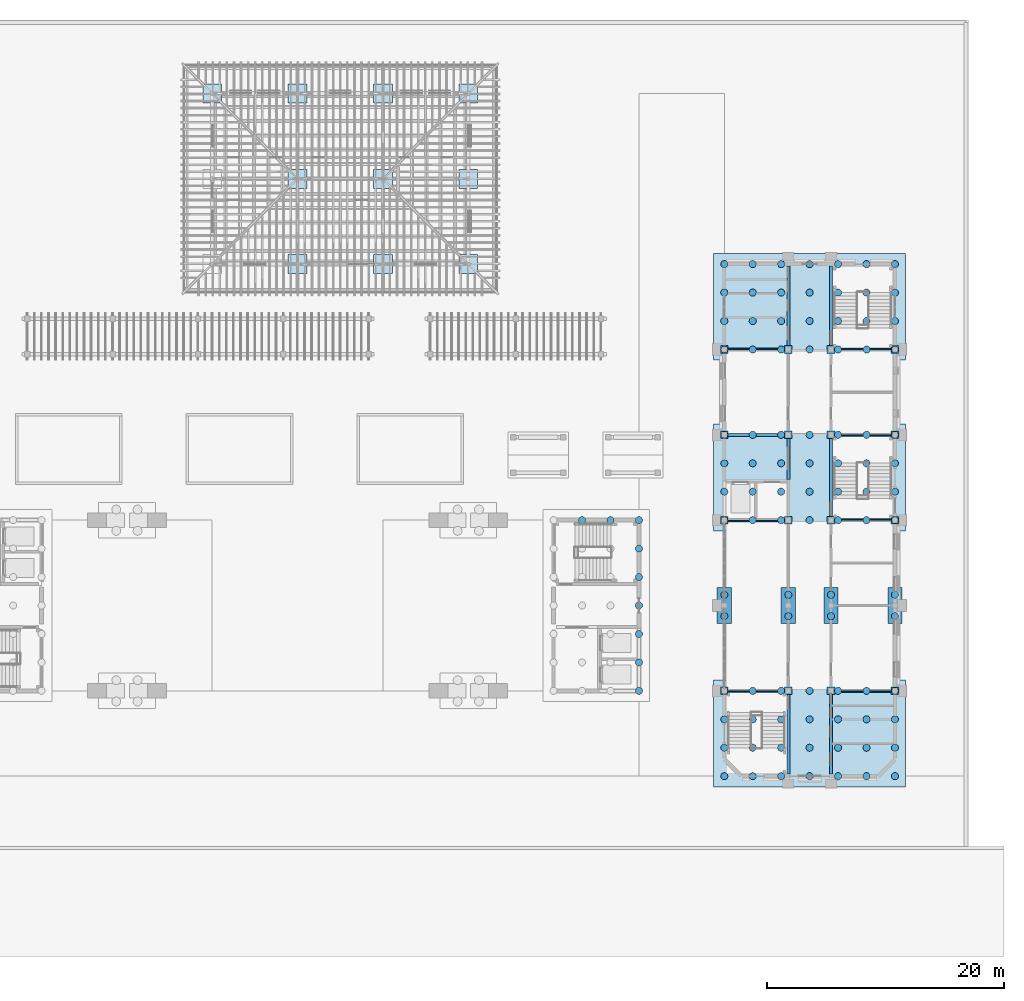
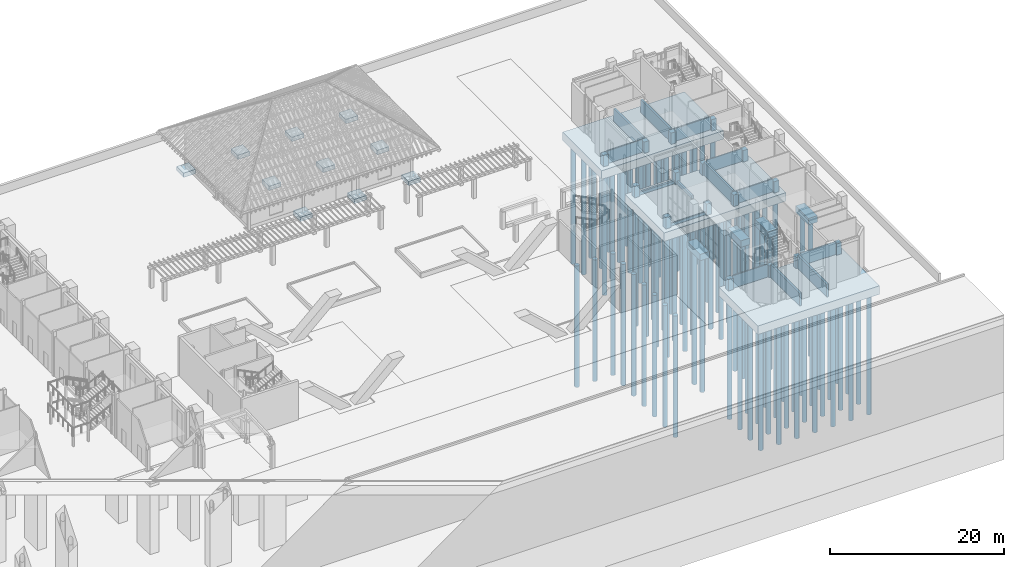
# One storey, part 3 of 84: 101 piles, 47 footings.
"""IFC4 building model written with IfcOpenShell, lengths in metres."""

from ifc_helpers import new_model, si_unit, direction, frame, origin, origin_2d, place, context, subcontext, project, spatial, polyline, rectangle, circle, outline, extrude, material, material_profile, profile_set, type_object, element, save


model = new_model("IFC4")

# Units and contexts
model_context = context("Model", 3, precision=1e-05, world=origin(), true_north=direction((0.0, 1.0)))
body_context = subcontext(model_context, "Body", "Model", "MODEL_VIEW")
ifc_project = project(units=[si_unit("LENGTHUNIT", "METRE"), si_unit("AREAUNIT", "SQUARE_METRE"), si_unit("VOLUMEUNIT", "CUBIC_METRE"), si_unit("PLANEANGLEUNIT", "RADIAN"), si_unit("MASSUNIT", "GRAM", prefix="KILO")], contexts=[model_context])

# Site, building, storey
site_placement = place(None, origin())
site = spatial("IfcSite", under=ifc_project, at=site_placement, CompositionType="ELEMENT")
building_placement = place(site_placement, origin())
building = spatial("IfcBuilding", under=site, at=building_placement, Name="Mazhai Court Health Centre", CompositionType="ELEMENT")
storey_placement = place(building_placement, origin())
storey = spatial("IfcBuildingStorey", under=building, at=storey_placement, Name="L00", CompositionType="ELEMENT", Elevation=0.0)

# Piles
ifc_material_1 = material(Name="Concrete M35", Category="concrete")
ifc_material_profile = material_profile(ifc_material_1, circle(Radius=0.300048828125, at=origin_2d()), Name="RC PILE D600")
ifc_profile_set = profile_set([ifc_material_profile], Name="Concrete M35")
pile_type = type_object("IfcPileType", Name="BORED PILE D600 M35", PredefinedType="BORED", material=ifc_profile_set)
for number, where, z_axis, x_axis, name in (
    (1, (123.800048828125, 27.800048828125, -2.89990234375), (0.0, 0.0, -1.0), (1.0, 0.0, 0.0), "pile-RAFT-5-14"),
    (2, (126.199951171875, 27.800048828125, -2.89990234375), (0.0, 0.0, -1.0), (1.0, 0.0, 0.0), "pile-RAFT-5-21"),
    (3, (128.60009765625, 13.39990234375, -2.89990234375), (0.0, 0.0, -1.0), (1.0, 0.0, 0.0), "pile-RAFT-5-22"),
    (4, (128.60009765625, 15.800048828125, -2.89990234375), (0.0, 0.0, -1.0), (1.0, 0.0, 0.0), "pile-RAFT-5-23"),
    (5, (128.60009765625, 18.199951171875, -2.89990234375), (0.0, 0.0, -1.0), (1.0, 0.0, 0.0), "pile-RAFT-5-24"),
    (6, (128.60009765625, 20.60009765625, -2.89990234375), (0.0, 0.0, -1.0), (1.0, 0.0, 0.0), "pile-RAFT-5-25"),
    (7, (128.60009765625, 23.0, -2.89990234375), (0.0, 0.0, -1.0), (1.0, 0.0, 0.0), "pile-RAFT-5-26"),
    (8, (128.60009765625, 25.39990234375, -2.89990234375), (0.0, 0.0, -1.0), (1.0, 0.0, 0.0), "pile-RAFT-5-27"),
    (9, (128.60009765625, 27.800048828125, -2.89990234375), (0.0, 0.0, -1.0), (1.0, 0.0, 0.0), "pile-RAFT-5-28"),
    (10, (135.800048828125, 6.199951171875, -2.89990234375), (0.0, 0.0, -1.0), (1.0, 0.0, 0.0), "pile-RAFT-6-01"),
    (11, (135.800048828125, 8.60009765625, -2.89990234375), (0.0, 0.0, -1.0), (1.0, 0.0, 0.0), "pile-RAFT-6-02"),
    (12, (135.800048828125, 11.0, -2.89990234375), (0.0, 0.0, -1.0), (1.0, 0.0, 0.0), "pile-RAFT-6-03"),
    (13, (135.800048828125, 13.39990234375, -2.89990234375), (0.0, 0.0, -1.0), (1.0, 0.0, 0.0), "pile-RAFT-6-04"),
    (14, (138.199951171875, 6.199951171875, -2.89990234375), (0.0, 0.0, -1.0), (1.0, 0.0, 0.0), "pile-RAFT-6-05"),
    (15, (138.199951171875, 8.60009765625, -2.89990234375), (0.0, 0.0, -1.0), (1.0, 0.0, 0.0), "pile-RAFT-6-06"),
    (16, (138.199951171875, 11.0, -2.89990234375), (0.0, 0.0, -1.0), (1.0, 0.0, 0.0), "pile-RAFT-6-07"),
    (17, (138.199951171875, 13.39990234375, -2.89990234375), (0.0, 0.0, -1.0), (1.0, 0.0, 0.0), "pile-RAFT-6-08"),
    (18, (140.60009765625, 6.199951171875, -2.89990234375), (0.0, 0.0, -1.0), (1.0, 0.0, 0.0), "pile-RAFT-6-09"),
    (19, (140.60009765625, 8.60009765625, -2.89990234375), (0.0, 0.0, -1.0), (1.0, 0.0, 0.0), "pile-RAFT-6-10"),
    (20, (140.60009765625, 11.0, -2.89990234375), (0.0, 0.0, -1.0), (1.0, 0.0, 0.0), "pile-RAFT-6-11"),
    (21, (140.60009765625, 13.39990234375, -2.89990234375), (0.0, 0.0, -1.0), (1.0, 0.0, 0.0), "pile-RAFT-6-12"),
    (22, (143.0, 6.199951171875, -2.89990234375), (0.0, 0.0, -1.0), (1.0, 0.0, 0.0), "pile-RAFT-6-13"),
    (23, (143.0, 8.60009765625, -2.89990234375), (0.0, 0.0, -1.0), (1.0, 0.0, 0.0), "pile-RAFT-6-14"),
    (24, (143.0, 11.0, -2.89990234375), (0.0, 0.0, -1.0), (1.0, 0.0, 0.0), "pile-RAFT-6-15"),
    (25, (143.0, 13.39990234375, -2.89990234375), (0.0, 0.0, -1.0), (1.0, 0.0, 0.0), "pile-RAFT-6-16"),
    (26, (145.39990234375, 6.199951171875, -2.89990234375), (0.0, 0.0, -1.0), (1.0, 0.0, 0.0), "pile-RAFT-6-17"),
    (27, (145.39990234375, 8.60009765625, -2.89990234375), (0.0, 0.0, -1.0), (1.0, 0.0, 0.0), "pile-RAFT-6-18"),
    (28, (145.39990234375, 11.0, -2.89990234375), (0.0, 0.0, -1.0), (1.0, 0.0, 0.0), "pile-RAFT-6-19"),
    (29, (145.39990234375, 13.39990234375, -2.89990234375), (0.0, 0.0, -1.0), (1.0, 0.0, 0.0), "pile-RAFT-6-20"),
    (30, (147.800048828125, 6.199951171875, -2.89990234375), (0.0, 0.0, -1.0), (1.0, 0.0, 0.0), "pile-RAFT-6-21"),
    (31, (147.800048828125, 8.60009765625, -2.89990234375), (0.0, 0.0, -1.0), (1.0, 0.0, 0.0), "pile-RAFT-6-22"),
    (32, (147.800048828125, 11.0, -2.89990234375), (0.0, 0.0, -1.0), (1.0, 0.0, 0.0), "pile-RAFT-6-23"),
    (33, (147.800048828125, 13.39990234375, -2.89990234375), (0.0, 0.0, -1.0), (1.0, 0.0, 0.0), "pile-RAFT-6-24"),
    (34, (150.199951171875, 6.199951171875, -2.89990234375), (0.0, 0.0, -1.0), (1.0, 0.0, 0.0), "pile-RAFT-6-25"),
    (35, (150.199951171875, 8.60009765625, -2.89990234375), (0.0, 0.0, -1.0), (1.0, 0.0, 0.0), "pile-RAFT-6-26"),
    (36, (150.199951171875, 11.0, -2.89990234375), (0.0, 0.0, -1.0), (1.0, 0.0, 0.0), "pile-RAFT-6-27"),
    (37, (150.199951171875, 13.39990234375, -2.89990234375), (0.0, 0.0, -1.0), (1.0, 0.0, 0.0), "pile-RAFT-6-28"),
    (38, (135.800048828125, 27.800048828125, -2.89990234375), (0.0, 0.0, -1.0), (1.0, 0.0, 0.0), "pile-RAFT-7-01"),
    (39, (135.800048828125, 30.199951171875, -2.89990234375), (0.0, 0.0, -1.0), (1.0, 0.0, 0.0), "pile-RAFT-7-02"),
    (40, (135.800048828125, 32.60009765625, -2.89990234375), (0.0, 0.0, -1.0), (1.0, 0.0, 0.0), "pile-RAFT-7-03"),
    (41, (135.800048828125, 35.0, -2.89990234375), (0.0, 0.0, -1.0), (1.0, 0.0, 0.0), "pile-RAFT-7-04"),
    (42, (138.199951171875, 27.800048828125, -2.89990234375), (0.0, 0.0, -1.0), (1.0, 0.0, 0.0), "pile-RAFT-7-05"),
    (43, (138.199951171875, 30.199951171875, -2.89990234375), (0.0, 0.0, -1.0), (1.0, 0.0, 0.0), "pile-RAFT-7-06"),
    (44, (138.199951171875, 32.60009765625, -2.89990234375), (0.0, 0.0, -1.0), (1.0, 0.0, 0.0), "pile-RAFT-7-07"),
    (45, (138.199951171875, 35.0, -2.89990234375), (0.0, 0.0, -1.0), (1.0, 0.0, 0.0), "pile-RAFT-7-08"),
    (46, (140.60009765625, 27.800048828125, -2.89990234375), (0.0, 0.0, -1.0), (1.0, 0.0, 0.0), "pile-RAFT-7-09"),
    (47, (140.60009765625, 30.199951171875, -2.89990234375), (0.0, 0.0, -1.0), (1.0, 0.0, 0.0), "pile-RAFT-7-10"),
    (48, (140.60009765625, 32.60009765625, -2.89990234375), (0.0, 0.0, -1.0), (1.0, 0.0, 0.0), "pile-RAFT-7-11"),
    (49, (140.60009765625, 35.0, -2.89990234375), (0.0, 0.0, -1.0), (1.0, 0.0, 0.0), "pile-RAFT-7-12"),
    (50, (143.0, 27.800048828125, -2.89990234375), (0.0, 0.0, -1.0), (1.0, 0.0, 0.0), "pile-RAFT-7-13"),
    (51, (143.0, 30.199951171875, -2.89990234375), (0.0, 0.0, -1.0), (1.0, 0.0, 0.0), "pile-RAFT-7-14"),
    (52, (143.0, 32.60009765625, -2.89990234375), (0.0, 0.0, -1.0), (1.0, 0.0, 0.0), "pile-RAFT-7-15"),
    (53, (143.0, 35.0, -2.89990234375), (0.0, 0.0, -1.0), (1.0, 0.0, 0.0), "pile-RAFT-7-16"),
    (54, (145.39990234375, 27.800048828125, -2.89990234375), (0.0, 0.0, -1.0), (1.0, 0.0, 0.0), "pile-RAFT-7-17"),
    (55, (145.39990234375, 30.199951171875, -2.89990234375), (0.0, 0.0, -1.0), (1.0, 0.0, 0.0), "pile-RAFT-7-18"),
    (56, (145.39990234375, 32.60009765625, -2.89990234375), (0.0, 0.0, -1.0), (1.0, 0.0, 0.0), "pile-RAFT-7-19"),
    (57, (145.39990234375, 35.0, -2.89990234375), (0.0, 0.0, -1.0), (1.0, 0.0, 0.0), "pile-RAFT-7-20"),
    (58, (147.800048828125, 27.800048828125, -2.89990234375), (0.0, 0.0, -1.0), (1.0, 0.0, 0.0), "pile-RAFT-7-21"),
    (59, (147.800048828125, 30.199951171875, -2.89990234375), (0.0, 0.0, -1.0), (1.0, 0.0, 0.0), "pile-RAFT-7-22"),
    (60, (147.800048828125, 32.60009765625, -2.89990234375), (0.0, 0.0, -1.0), (1.0, 0.0, 0.0), "pile-RAFT-7-23"),
    (61, (147.800048828125, 35.0, -2.89990234375), (0.0, 0.0, -1.0), (1.0, 0.0, 0.0), "pile-RAFT-7-24"),
    (62, (150.199951171875, 27.800048828125, -2.89990234375), (0.0, 0.0, -1.0), (1.0, 0.0, 0.0), "pile-RAFT-7-25"),
    (63, (150.199951171875, 30.199951171875, -2.89990234375), (0.0, 0.0, -1.0), (1.0, 0.0, 0.0), "pile-RAFT-7-26"),
    (64, (150.199951171875, 32.60009765625, -2.89990234375), (0.0, 0.0, -1.0), (1.0, 0.0, 0.0), "pile-RAFT-7-27"),
    (65, (150.199951171875, 35.0, -2.89990234375), (0.0, 0.0, -1.0), (1.0, 0.0, 0.0), "pile-RAFT-7-28"),
    (66, (135.800048828125, 42.199951171875, -2.89990234375), (0.0, 0.0, -1.0), (1.0, 0.0, 0.0), "pile-RAFT-8-01"),
    (67, (135.800048828125, 44.60009765625, -2.89990234375), (0.0, 0.0, -1.0), (1.0, 0.0, 0.0), "pile-RAFT-8-02"),
    (68, (135.800048828125, 47.0, -2.89990234375), (0.0, 0.0, -1.0), (1.0, 0.0, 0.0), "pile-RAFT-8-03"),
    (69, (135.800048828125, 49.39990234375, -2.89990234375), (0.0, 0.0, -1.0), (1.0, 0.0, 0.0), "pile-RAFT-8-04"),
    (70, (138.199951171875, 42.199951171875, -2.89990234375), (0.0, 0.0, -1.0), (1.0, 0.0, 0.0), "pile-RAFT-8-05"),
    (71, (138.199951171875, 44.60009765625, -2.89990234375), (0.0, 0.0, -1.0), (1.0, 0.0, 0.0), "pile-RAFT-8-06"),
    (72, (138.199951171875, 47.0, -2.89990234375), (0.0, 0.0, -1.0), (1.0, 0.0, 0.0), "pile-RAFT-8-07"),
    (73, (138.199951171875, 49.39990234375, -2.89990234375), (0.0, 0.0, -1.0), (1.0, 0.0, 0.0), "pile-RAFT-8-08"),
    (74, (140.60009765625, 42.199951171875, -2.89990234375), (0.0, 0.0, -1.0), (1.0, 0.0, 0.0), "pile-RAFT-8-09"),
    (75, (140.60009765625, 44.60009765625, -2.89990234375), (0.0, 0.0, -1.0), (1.0, 0.0, 0.0), "pile-RAFT-8-10"),
    (76, (140.60009765625, 47.0, -2.89990234375), (0.0, 0.0, -1.0), (1.0, 0.0, 0.0), "pile-RAFT-8-11"),
    (77, (140.60009765625, 49.39990234375, -2.89990234375), (0.0, 0.0, -1.0), (1.0, 0.0, 0.0), "pile-RAFT-8-12"),
    (78, (143.0, 42.199951171875, -2.89990234375), (0.0, 0.0, -1.0), (1.0, 0.0, 0.0), "pile-RAFT-8-13"),
    (79, (143.0, 44.60009765625, -2.89990234375), (0.0, 0.0, -1.0), (1.0, 0.0, 0.0), "pile-RAFT-8-14"),
    (80, (143.0, 47.0, -2.89990234375), (0.0, 0.0, -1.0), (1.0, 0.0, 0.0), "pile-RAFT-8-15"),
    (81, (143.0, 49.39990234375, -2.89990234375), (0.0, 0.0, -1.0), (1.0, 0.0, 0.0), "pile-RAFT-8-16"),
    (82, (145.39990234375, 42.199951171875, -2.89990234375), (0.0, 0.0, -1.0), (1.0, 0.0, 0.0), "pile-RAFT-8-17"),
    (83, (145.39990234375, 44.60009765625, -2.89990234375), (0.0, 0.0, -1.0), (1.0, 0.0, 0.0), "pile-RAFT-8-18"),
    (84, (145.39990234375, 47.0, -2.89990234375), (0.0, 0.0, -1.0), (1.0, 0.0, 0.0), "pile-RAFT-8-19"),
    (85, (145.39990234375, 49.39990234375, -2.89990234375), (0.0, 0.0, -1.0), (1.0, 0.0, 0.0), "pile-RAFT-8-20"),
    (86, (147.800048828125, 42.199951171875, -2.89990234375), (0.0, 0.0, -1.0), (1.0, 0.0, 0.0), "pile-RAFT-8-21"),
    (87, (147.800048828125, 44.60009765625, -2.89990234375), (0.0, 0.0, -1.0), (1.0, 0.0, 0.0), "pile-RAFT-8-22"),
    (88, (147.800048828125, 47.0, -2.89990234375), (0.0, 0.0, -1.0), (1.0, 0.0, 0.0), "pile-RAFT-8-23"),
    (89, (147.800048828125, 49.39990234375, -2.89990234375), (0.0, 0.0, -1.0), (1.0, 0.0, 0.0), "pile-RAFT-8-24"),
    (90, (150.199951171875, 42.199951171875, -2.89990234375), (0.0, 0.0, -1.0), (1.0, 0.0, 0.0), "pile-RAFT-8-25"),
    (91, (150.199951171875, 44.60009765625, -2.89990234375), (0.0, 0.0, -1.0), (1.0, 0.0, 0.0), "pile-RAFT-8-26"),
    (92, (150.199951171875, 47.0, -2.89990234375), (0.0, 0.0, -1.0), (1.0, 0.0, 0.0), "pile-RAFT-8-27"),
    (93, (150.199951171875, 49.39990234375, -2.89990234375), (0.0, 0.0, -1.0), (1.0, 0.0, 0.0), "pile-RAFT-8-28"),
):
    element("IfcPile", number, at=place(storey_placement, frame(where, z_axis=z_axis, x_axis=x_axis)), inside=storey, type_object=pile_type, Name=name, PredefinedType="BORED", context=body_context, shape_type="SweptSolid", body=[
        extrude(circle(Radius=0.300048828125, at=origin_2d()), origin(), (0.0, 0.0, 1.0), 17.10009765625),
    ])
for number, where, z_axis, x_axis, name in (
    (94, (135.800048828125, 19.699951171875, -1.0), (0.0, 0.0, -1.0), (1.0, 0.0, 0.0), "pile-cap-V6-L2-0-01"),
    (95, (135.800048828125, 21.5, -1.0), (0.0, 0.0, -1.0), (1.0, 0.0, 0.0), "pile-cap-V6-L2-0-02"),
    (96, (141.199951171875, 19.699951171875, -1.0), (0.0, 0.0, -1.0), (1.0, 0.0, 0.0), "pile-cap-V6-L2-1-01"),
    (97, (141.199951171875, 21.5, -1.0), (0.0, 0.0, -1.0), (1.0, 0.0, 0.0), "pile-cap-V6-L2-1-02"),
    (98, (144.800048828125, 19.699951171875, -1.0), (0.0, 0.0, -1.0), (1.0, 0.0, 0.0), "pile-cap-V6-L2-2-01"),
    (99, (144.800048828125, 21.5, -1.0), (0.0, 0.0, -1.0), (1.0, 0.0, 0.0), "pile-cap-V6-L2-2-02"),
    (100, (150.199951171875, 19.699951171875, -1.0), (0.0, 0.0, -1.0), (1.0, 0.0, 0.0), "pile-cap-V6-L2-3-01"),
    (101, (150.199951171875, 21.5, -1.0), (0.0, 0.0, -1.0), (1.0, 0.0, 0.0), "pile-cap-V6-L2-3-02"),
):
    element("IfcPile", number, at=place(storey_placement, frame(where, z_axis=z_axis, x_axis=x_axis)), inside=storey, type_object=pile_type, Name=name, PredefinedType="BORED", context=body_context, shape_type="SweptSolid", body=[
        extrude(circle(Radius=0.300048828125, at=origin_2d()), origin(), (0.0, 0.0, 1.0), 19.0),
    ])

# Footings
ifc_material_2 = material(Name="Concrete M35", Category="concrete")
footing_type_1 = type_object("IfcFootingType", Name="CORE RAFT 16200x9000x1200 M35", PredefinedType="PILE_CAP", material=ifc_material_2)
for number, where, z_axis, x_axis, name in (
    (102, (143.0, 9.800048828125, -3.0), (0.0, 0.0, 1.0), (1.0, 0.0, 0.0), "RAFT-6"),
    (103, (143.0, 31.39990234375, -3.0), (0.0, 0.0, 1.0), (1.0, 0.0, 0.0), "RAFT-7"),
    (104, (143.0, 45.800048828125, -3.0), (0.0, 0.0, 1.0), (1.0, 0.0, 0.0), "RAFT-8"),
):
    element("IfcFooting", number, at=place(storey_placement, frame(where, z_axis=z_axis, x_axis=x_axis)), inside=storey, type_object=footing_type_1, Name=name, PredefinedType="PILE_CAP", context=body_context, shape_type="SweptSolid", body=[
        extrude(rectangle(XDim=16.199951171875, YDim=9.0, at=origin_2d()), origin(), (0.0, 0.0, 1.0), 1.199951171875),
    ])
ifc_material_3 = material(Name="Concrete M35", Category="concrete")
footing_type_2 = type_object("IfcFootingType", Name="PAD FOOTING 1600x1600x600 M35", PredefinedType="PAD_FOOTING", material=ifc_material_3)
for number, where, z_axis, x_axis, name in (
    (105, (99.800048828125, 49.39990234375, -0.800048828125), (0.0, 0.0, 1.0), (1.0, 0.0, 0.0), "pad-V3-02"),
    (106, (107.0, 49.39990234375, -0.800048828125), (0.0, 0.0, 1.0), (1.0, 0.0, 0.0), "pad-V3-03"),
    (107, (114.199951171875, 49.39990234375, -0.800048828125), (0.0, 0.0, 1.0), (1.0, 0.0, 0.0), "pad-V3-04"),
    (108, (99.800048828125, 56.60009765625, -0.800048828125), (0.0, 0.0, 1.0), (1.0, 0.0, 0.0), "pad-V3-06"),
    (109, (107.0, 56.60009765625, -0.800048828125), (0.0, 0.0, 1.0), (1.0, 0.0, 0.0), "pad-V3-07"),
    (110, (114.199951171875, 56.60009765625, -0.800048828125), (0.0, 0.0, 1.0), (1.0, 0.0, 0.0), "pad-V3-08"),
    (111, (92.60009765625, 63.800048828125, -0.800048828125), (0.0, 0.0, 1.0), (1.0, 0.0, 0.0), "pad-V3-09"),
    (112, (99.800048828125, 63.800048828125, -0.800048828125), (0.0, 0.0, 1.0), (1.0, 0.0, 0.0), "pad-V3-10"),
    (113, (107.0, 63.800048828125, -0.800048828125), (0.0, 0.0, 1.0), (1.0, 0.0, 0.0), "pad-V3-11"),
    (114, (114.199951171875, 63.800048828125, -0.800048828125), (0.0, 0.0, 1.0), (1.0, 0.0, 0.0), "pad-V3-12"),
):
    element("IfcFooting", number, at=place(storey_placement, frame(where, z_axis=z_axis, x_axis=x_axis)), inside=storey, type_object=footing_type_2, Name=name, PredefinedType="PAD_FOOTING", context=body_context, shape_type="SweptSolid", body=[
        extrude(rectangle(XDim=1.60009765625, YDim=1.60009765625, at=origin_2d()), origin(), (0.0, 0.0, 1.0), 0.60009765625),
    ])
ifc_material_4 = material(Name="Concrete M35", Category="concrete")
footing_type_3 = type_object("IfcFootingType", Name="PILE CAP 2P 3000x1200x900 M35", PredefinedType="PILE_CAP", material=ifc_material_4)
for number, where, z_axis, x_axis, name in (
    (115, (135.800048828125, 20.60009765625, -1.099853515625), (0.0, 0.0, 1.0), (1.0, 0.0, 0.0), "cap-V6-L2-0"),
    (116, (141.199951171875, 20.60009765625, -1.099853515625), (0.0, 0.0, 1.0), (1.0, 0.0, 0.0), "cap-V6-L2-1"),
    (117, (144.800048828125, 20.60009765625, -1.099853515625), (0.0, 0.0, 1.0), (1.0, 0.0, 0.0), "cap-V6-L2-2"),
    (118, (150.199951171875, 20.60009765625, -1.099853515625), (0.0, 0.0, 1.0), (1.0, 0.0, 0.0), "cap-V6-L2-3"),
):
    element("IfcFooting", number, at=place(storey_placement, frame(where, z_axis=z_axis, x_axis=x_axis)), inside=storey, type_object=footing_type_3, Name=name, PredefinedType="PILE_CAP", context=body_context, shape_type="SweptSolid", body=[
        extrude(rectangle(XDim=1.199951171875, YDim=3.0, at=origin_2d()), origin(), (0.0, 0.0, 1.0), 0.89990234375),
    ])
ifc_material_5 = material(Name="Concrete M35", Category="concrete")
footing_type_4 = type_object("IfcFootingType", Name="RC PEDESTAL 650x650x1600 M35", PredefinedType="PAD_FOOTING", material=ifc_material_5)
for number, where, z_axis, x_axis, name in (
    (119, (135.800048828125, 13.39990234375, -1.800048828125), (0.0, 0.0, 1.0), (1.0, 0.0, 0.0), "pedestal-V6-135.8-13.4"),
    (120, (135.800048828125, 27.800048828125, -1.800048828125), (0.0, 0.0, 1.0), (1.0, 0.0, 0.0), "pedestal-V6-135.8-27.8"),
    (121, (135.800048828125, 35.0, -1.800048828125), (0.0, 0.0, 1.0), (1.0, 0.0, 0.0), "pedestal-V6-135.8-35"),
    (122, (135.800048828125, 42.199951171875, -1.800048828125), (0.0, 0.0, 1.0), (1.0, 0.0, 0.0), "pedestal-V6-135.8-42.2"),
    (123, (141.199951171875, 13.39990234375, -1.800048828125), (0.0, 0.0, 1.0), (1.0, 0.0, 0.0), "pedestal-V6-141.2-13.4"),
    (124, (141.199951171875, 27.800048828125, -1.800048828125), (0.0, 0.0, 1.0), (1.0, 0.0, 0.0), "pedestal-V6-141.2-27.8"),
    (125, (141.199951171875, 35.0, -1.800048828125), (0.0, 0.0, 1.0), (1.0, 0.0, 0.0), "pedestal-V6-141.2-35"),
    (126, (141.199951171875, 42.199951171875, -1.800048828125), (0.0, 0.0, 1.0), (1.0, 0.0, 0.0), "pedestal-V6-141.2-42.2"),
    (127, (144.800048828125, 13.39990234375, -1.800048828125), (0.0, 0.0, 1.0), (1.0, 0.0, 0.0), "pedestal-V6-144.8-13.4"),
    (128, (144.800048828125, 27.800048828125, -1.800048828125), (0.0, 0.0, 1.0), (1.0, 0.0, 0.0), "pedestal-V6-144.8-27.8"),
    (129, (144.800048828125, 35.0, -1.800048828125), (0.0, 0.0, 1.0), (1.0, 0.0, 0.0), "pedestal-V6-144.8-35"),
    (130, (144.800048828125, 42.199951171875, -1.800048828125), (0.0, 0.0, 1.0), (1.0, 0.0, 0.0), "pedestal-V6-144.8-42.2"),
    (131, (150.199951171875, 13.39990234375, -1.800048828125), (0.0, 0.0, 1.0), (1.0, 0.0, 0.0), "pedestal-V6-150.2-13.4"),
    (132, (150.199951171875, 27.800048828125, -1.800048828125), (0.0, 0.0, 1.0), (1.0, 0.0, 0.0), "pedestal-V6-150.2-27.8"),
    (133, (150.199951171875, 35.0, -1.800048828125), (0.0, 0.0, 1.0), (1.0, 0.0, 0.0), "pedestal-V6-150.2-35"),
    (134, (150.199951171875, 42.199951171875, -1.800048828125), (0.0, 0.0, 1.0), (1.0, 0.0, 0.0), "pedestal-V6-150.2-42.2"),
):
    element("IfcFooting", number, at=place(storey_placement, frame(where, z_axis=z_axis, x_axis=x_axis)), inside=storey, type_object=footing_type_4, Name=name, PredefinedType="PAD_FOOTING", context=body_context, shape_type="SweptSolid", body=[
        extrude(rectangle(XDim=0.64990234375, YDim=0.64990234375, at=origin_2d()), origin(), (0.0, 0.0, 1.0), 1.60009765625),
    ])
ifc_material_6 = material(Name="Concrete M35", Category="concrete")
footing_type_5 = type_object("IfcFootingType", Name="RC WALL FOOTING 250x1800 M35", PredefinedType="STRIP_FOOTING", material=ifc_material_6)
footing_1_placement = place(storey_placement, frame((0.0, 0.0, -1.800048828125)))
element("IfcFooting", 135, at=footing_1_placement, inside=storey, type_object=footing_type_5, Name="core-C10-w-other-corr-L00-footing", PredefinedType="STRIP_FOOTING", context=body_context, shape_type="SweptSolid", body=[
    extrude(outline(polyline([(141.074951171875, 49.235107421875), (141.324951171875, 49.235107421875), (141.324951171875, 42.52490234375), (141.074951171875, 42.52490234375), (141.074951171875, 49.235107421875)])), origin(), (0.0, 0.0, 1.0), 1.800048828125),
])
footing_2_placement = place(storey_placement, frame((0.0, 0.0, -1.800048828125)))
element("IfcFooting", 136, at=footing_2_placement, inside=storey, type_object=footing_type_5, Name="core-C10-w-other-line0-L00-footing", PredefinedType="STRIP_FOOTING", context=body_context, shape_type="SweptSolid", body=[
    extrude(outline(polyline([(140.875, 42.324951171875), (140.875, 42.199951171875), (136.125, 42.199951171875), (136.125, 42.324951171875), (140.875, 42.324951171875)])), origin(), (0.0, 0.0, 1.0), 1.800048828125),
])
footing_3_placement = place(storey_placement, frame((0.0, 0.0, -1.800048828125)))
element("IfcFooting", 137, at=footing_3_placement, inside=storey, type_object=footing_type_5, Name="core-C10-w-stair-corr-L00-footing", PredefinedType="STRIP_FOOTING", context=body_context, shape_type="SweptSolid", body=[
    extrude(outline(polyline([(144.675048828125, 49.235107421875), (144.925048828125, 49.235107421875), (144.925048828125, 42.52490234375), (144.675048828125, 42.52490234375), (144.675048828125, 49.235107421875)])), origin(), (0.0, 0.0, 1.0), 1.800048828125),
])
footing_4_placement = place(storey_placement, frame((0.0, 0.0, -1.800048828125)))
element("IfcFooting", 138, at=footing_4_placement, inside=storey, type_object=footing_type_5, Name="core-C10-w-stair-line0-L00-footing", PredefinedType="STRIP_FOOTING", context=body_context, shape_type="SweptSolid", body=[
    extrude(outline(polyline([(149.875, 42.324951171875), (149.875, 42.199951171875), (145.125, 42.199951171875), (145.125, 42.324951171875), (149.875, 42.324951171875)])), origin(), (0.0, 0.0, 1.0), 1.800048828125),
])
footing_5_placement = place(storey_placement, frame((0.0, 0.0, -1.800048828125)))
element("IfcFooting", 139, at=footing_5_placement, inside=storey, type_object=footing_type_5, Name="core-C8-w-other-corr-L00-footing", PredefinedType="STRIP_FOOTING", context=body_context, shape_type="SweptSolid", body=[
    extrude(outline(polyline([(144.675048828125, 13.074951171875), (144.925048828125, 13.074951171875), (144.925048828125, 6.364990234375), (144.675048828125, 6.364990234375), (144.675048828125, 13.074951171875)])), origin(), (0.0, 0.0, 1.0), 1.800048828125),
])
footing_6_placement = place(storey_placement, frame((0.0, 0.0, -1.800048828125)))
element("IfcFooting", 140, at=footing_6_placement, inside=storey, type_object=footing_type_5, Name="core-C8-w-other-line0-L00-footing", PredefinedType="STRIP_FOOTING", context=body_context, shape_type="SweptSolid", body=[
    extrude(outline(polyline([(145.125, 13.27490234375), (145.125, 13.39990234375), (149.875, 13.39990234375), (149.875, 13.27490234375), (145.125, 13.27490234375)])), origin(), (0.0, 0.0, 1.0), 1.800048828125),
])
footing_7_placement = place(storey_placement, frame((0.0, 0.0, -1.800048828125)))
element("IfcFooting", 141, at=footing_7_placement, inside=storey, type_object=footing_type_5, Name="core-C8-w-stair-corr-L00-footing", PredefinedType="STRIP_FOOTING", context=body_context, shape_type="SweptSolid", body=[
    extrude(outline(polyline([(141.074951171875, 13.074951171875), (141.324951171875, 13.074951171875), (141.324951171875, 6.364990234375), (141.074951171875, 6.364990234375), (141.074951171875, 13.074951171875)])), origin(), (0.0, 0.0, 1.0), 1.800048828125),
])
footing_8_placement = place(storey_placement, frame((0.0, 0.0, -1.800048828125)))
element("IfcFooting", 142, at=footing_8_placement, inside=storey, type_object=footing_type_5, Name="core-C8-w-stair-line0-L00-footing", PredefinedType="STRIP_FOOTING", context=body_context, shape_type="SweptSolid", body=[
    extrude(outline(polyline([(136.125, 13.27490234375), (136.125, 13.39990234375), (140.875, 13.39990234375), (140.875, 13.27490234375), (136.125, 13.27490234375)])), origin(), (0.0, 0.0, 1.0), 1.800048828125),
])
footing_9_placement = place(storey_placement, frame((0.0, 0.0, -1.800048828125)))
element("IfcFooting", 143, at=footing_9_placement, inside=storey, type_object=footing_type_5, Name="core-C9-w-stair-corr-L00-footing", PredefinedType="STRIP_FOOTING", context=body_context, shape_type="SweptSolid", body=[
    extrude(outline(polyline([(144.675048828125, 34.675048828125), (144.925048828125, 34.675048828125), (144.925048828125, 28.125), (144.675048828125, 28.125), (144.675048828125, 34.675048828125)])), origin(), (0.0, 0.0, 1.0), 1.800048828125),
])
footing_10_placement = place(storey_placement, frame((0.0, 0.0, -1.800048828125)))
element("IfcFooting", 144, at=footing_10_placement, inside=storey, type_object=footing_type_5, Name="core-C9-w-stair-line0-L00-footing", PredefinedType="STRIP_FOOTING", context=body_context, shape_type="SweptSolid", body=[
    extrude(outline(polyline([(149.875, 27.925048828125), (149.875, 27.800048828125), (145.125, 27.800048828125), (145.125, 27.925048828125), (149.875, 27.925048828125)])), origin(), (0.0, 0.0, 1.0), 1.800048828125),
])
footing_11_placement = place(storey_placement, frame((0.0, 0.0, -1.800048828125)))
element("IfcFooting", 145, at=footing_11_placement, inside=storey, type_object=footing_type_5, Name="core-C9-w-stair-line1-L00-footing", PredefinedType="STRIP_FOOTING", context=body_context, shape_type="SweptSolid", body=[
    extrude(outline(polyline([(145.125, 34.875), (145.125, 35.0), (149.875, 35.0), (149.875, 34.875), (145.125, 34.875)])), origin(), (0.0, 0.0, 1.0), 1.800048828125),
])
ifc_material_7 = material(Name="Concrete M35", Category="concrete")
footing_type_6 = type_object("IfcFootingType", Name="RC WALL FOOTING 250x400 M35", PredefinedType="STRIP_FOOTING", material=ifc_material_7)
footing_12_placement = place(storey_placement, frame((0.0, 0.0, -1.800048828125)))
element("IfcFooting", 146, at=footing_12_placement, inside=storey, type_object=footing_type_6, Name="core-C9-w-other-corr-L00-footing", PredefinedType="STRIP_FOOTING", context=body_context, shape_type="SweptSolid", body=[
    extrude(outline(polyline([(141.074951171875, 34.675048828125), (141.324951171875, 34.675048828125), (141.324951171875, 31.25), (141.074951171875, 31.25), (141.074951171875, 34.675048828125)])), origin(), (0.0, 0.0, 1.0), 0.400146484375),
])
footing_13_placement = place(storey_placement, frame((0.0, 0.0, -1.800048828125)))
element("IfcFooting", 147, at=footing_13_placement, inside=storey, type_object=footing_type_6, Name="core-C9-w-other-line0-L00-footing", PredefinedType="STRIP_FOOTING", context=body_context, shape_type="SweptSolid", body=[
    extrude(outline(polyline([(136.125, 27.675048828125), (136.125, 27.800048828125), (140.875, 27.800048828125), (140.875, 27.675048828125), (136.125, 27.675048828125)])), origin(), (0.0, 0.0, 1.0), 0.400146484375),
])
footing_14_placement = place(storey_placement, frame((0.0, 0.0, -1.800048828125)))
element("IfcFooting", 148, at=footing_14_placement, inside=storey, type_object=footing_type_6, Name="core-C9-w-other-line1-L00-footing", PredefinedType="STRIP_FOOTING", context=body_context, shape_type="SweptSolid", body=[
    extrude(outline(polyline([(140.875, 35.125), (140.875, 34.875), (136.125, 34.875), (136.125, 35.125), (140.875, 35.125)])), origin(), (0.0, 0.0, 1.0), 0.400146484375),
])

save(model, "model.ifc")
